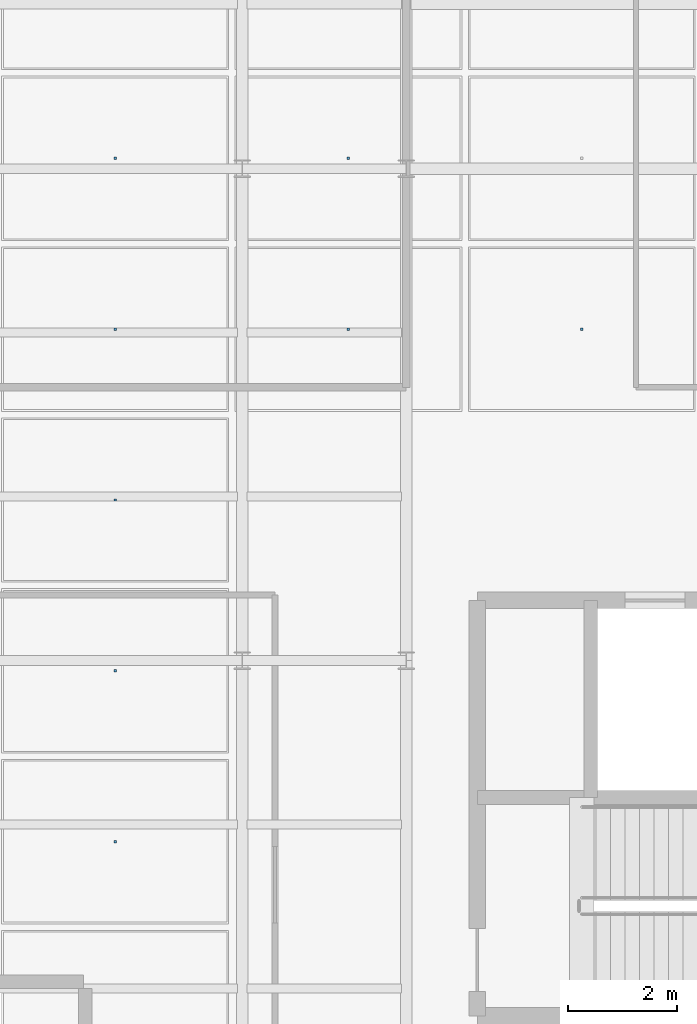
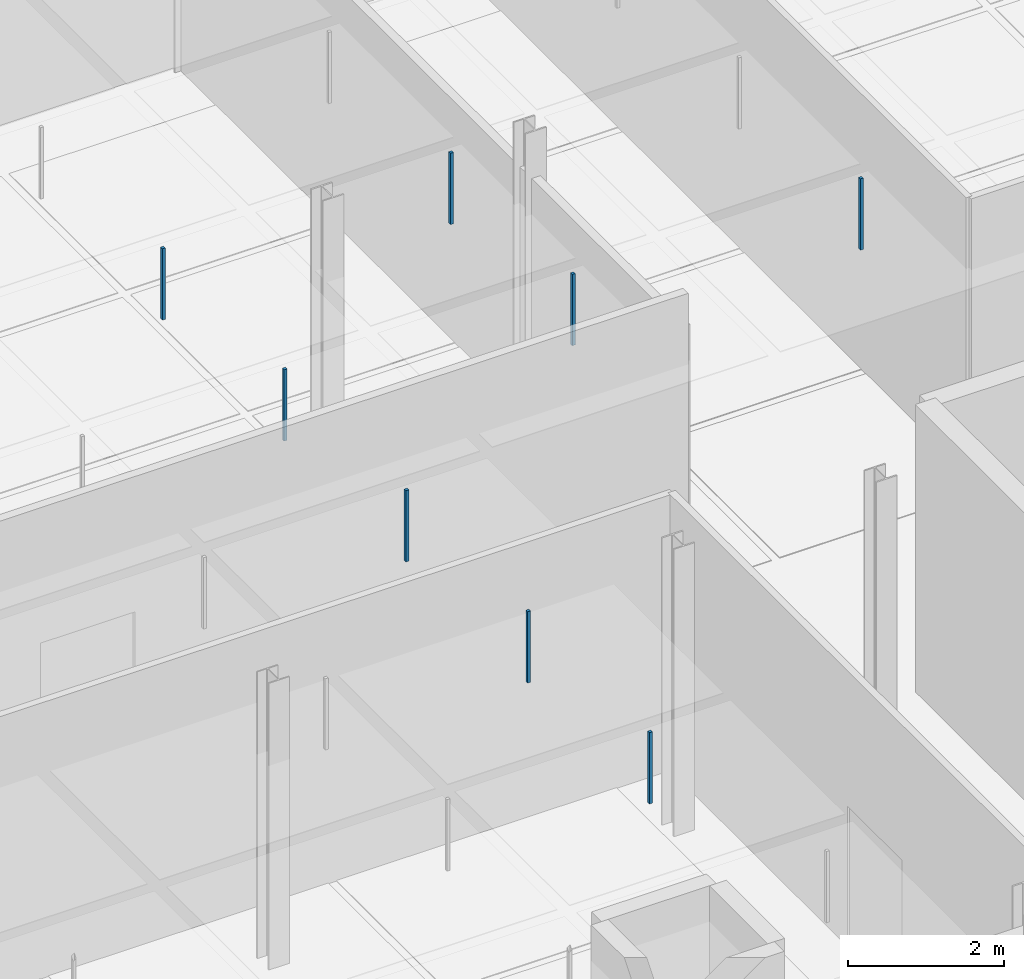
# One storey, part 94 of 130: 8 discrete accessories.
"""IFC4 building model written with IfcOpenShell, lengths in metres."""

from ifc_helpers import new_model, si_unit, direction, frame, origin, origin_2d, place, context, subcontext, project, spatial, rectangle, extrude, material, type_object, element, save


model = new_model("IFC4")

# Units and contexts
model_context = context("Model", 3, precision=1e-05, world=origin(), true_north=direction((0.0, 1.0)))
body_context = subcontext(model_context, "Body", "Model", "MODEL_VIEW")
ifc_project = project(units=[si_unit("LENGTHUNIT", "METRE"), si_unit("AREAUNIT", "SQUARE_METRE"), si_unit("VOLUMEUNIT", "CUBIC_METRE"), si_unit("PLANEANGLEUNIT", "RADIAN"), si_unit("MASSUNIT", "GRAM", prefix="KILO"), si_unit("THERMODYNAMICTEMPERATUREUNIT", "KELVIN"), si_unit("POWERUNIT", "WATT")], contexts=[model_context])

# Site, building, storey
site_placement = place(None, origin())
site = spatial("IfcSite", under=ifc_project, at=site_placement, CompositionType="ELEMENT")
building_placement = place(site_placement, origin())
building = spatial("IfcBuilding", under=site, at=building_placement, Name="Tallowbark Science Centre", CompositionType="ELEMENT")
storey_placement = place(building_placement, frame((0.0, 0.0, 5.39990234375)))
storey = spatial("IfcBuildingStorey", under=building, at=storey_placement, Name="L01", CompositionType="ELEMENT", Elevation=5.39990234375)

# Discrete accessories
ifc_material = material(Name="Galvanised Steel Grade C350L0 (350 MPa)", Category="steel")
discrete_accessory_type = type_object("IfcDiscreteAccessoryType", Name="ACC-CLG-HNG", PredefinedType="BRACKET", material=ifc_material)
for number, where, z_axis, x_axis, name in (
    (1, (66.673095703125, 77.6875, 3.205078125), (0.0, 0.0, 1.0), (1.0, 0.0, 0.0), "Ceiling Hanger Bracket L01-612"),
    (2, (66.673095703125, 80.8125, 3.205078125), (0.0, 0.0, 1.0), (1.0, 0.0, 0.0), "Ceiling Hanger Bracket L01-613"),
    (3, (66.673095703125, 83.9375, 3.205078125), (0.0, 0.0, 1.0), (1.0, 0.0, 0.0), "Ceiling Hanger Bracket L01-614"),
    (4, (66.673095703125, 87.0625, 3.205078125), (0.0, 0.0, 1.0), (1.0, 0.0, 0.0), "Ceiling Hanger Bracket L01-615"),
    (5, (66.673095703125, 90.1875, 3.205078125), (0.0, 0.0, 1.0), (1.0, 0.0, 0.0), "Ceiling Hanger Bracket L01-616"),
    (6, (70.9423828125, 87.0625, 3.205078125), (0.0, 0.0, 1.0), (1.0, 0.0, 0.0), "Ceiling Hanger Bracket L01-619"),
    (7, (70.9423828125, 90.1875, 3.205078125), (0.0, 0.0, 1.0), (1.0, 0.0, 0.0), "Ceiling Hanger Bracket L01-620"),
    (8, (75.21142578125, 87.0625, 3.205078125), (0.0, 0.0, 1.0), (1.0, 0.0, 0.0), "Ceiling Hanger Bracket L01-623"),
):
    element("IfcDiscreteAccessory", number, at=place(storey_placement, frame(where, z_axis=z_axis, x_axis=x_axis)), inside=storey, type_object=discrete_accessory_type, Name=name, PredefinedType="BRACKET", context=body_context, shape_type="SweptSolid", body=[
        extrude(rectangle(XDim=0.044921875, YDim=0.044921875, at=origin_2d()), origin(), (0.0, 0.0, 1.0), 1.117919921875),
    ])

save(model, "model.ifc")
